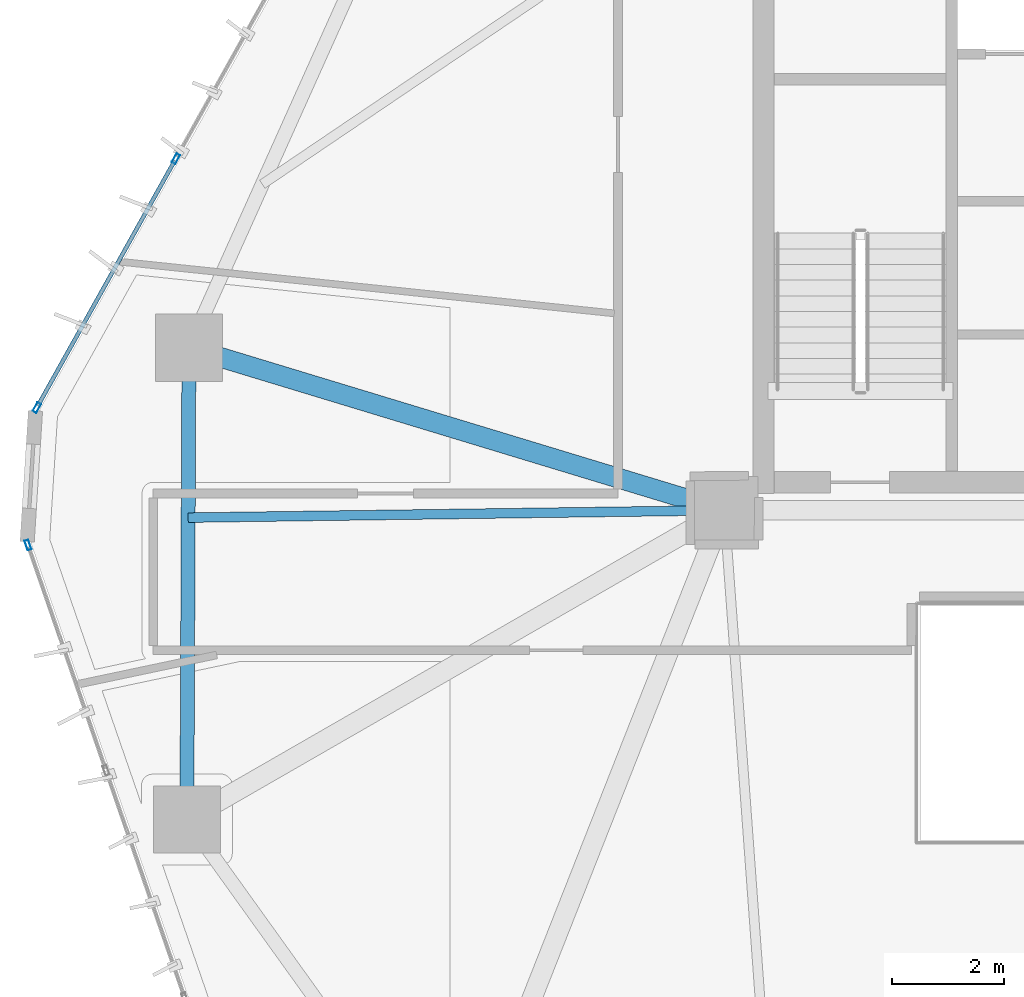
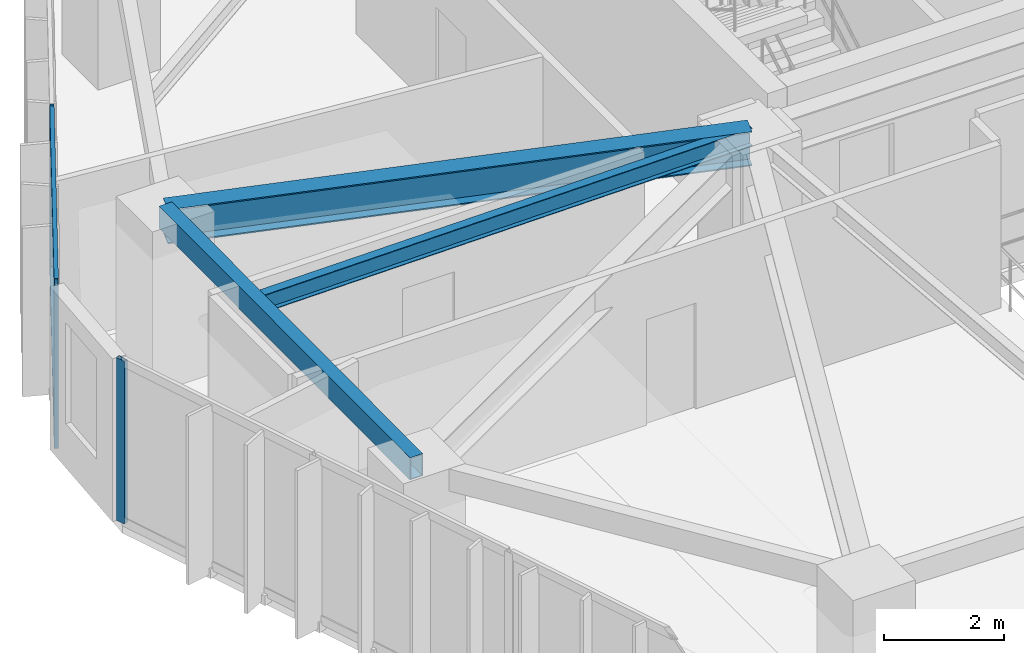
# One storey, part 7 of 21: 5 members, 3 beams, 2 elements without a shape of their own.
"""IFC4 building model written with IfcOpenShell, lengths in metres."""

from ifc_helpers import new_model, si_unit, direction, frame, origin, origin_2d, place, context, subcontext, project, spatial, hollow_rectangle, i_section, extrude, source, transform, mapped, material, layer, layer_set, material_profile, profile_set, type_object, type_shapes, element, aggregate, save


model = new_model("IFC4")

# Units and contexts
model_context = context("Model", 3, precision=1e-05, world=origin(), true_north=direction((0.0, 1.0)))
body_context = subcontext(model_context, "Body", "Model", "MODEL_VIEW")
ifc_project = project(units=[si_unit("LENGTHUNIT", "METRE"), si_unit("AREAUNIT", "SQUARE_METRE"), si_unit("VOLUMEUNIT", "CUBIC_METRE"), si_unit("PLANEANGLEUNIT", "RADIAN"), si_unit("MASSUNIT", "GRAM", prefix="KILO")], contexts=[model_context])

# Site, building, storey
site_placement = place(None, origin())
site = spatial("IfcSite", under=ifc_project, at=site_placement, CompositionType="ELEMENT")
building_placement = place(site_placement, origin())
building = spatial("IfcBuilding", under=site, at=building_placement, Name="Talar Marvaseh", CompositionType="ELEMENT")
storey_placement = place(building_placement, frame((0.0, 0.0, 139.800048828125)))
storey = spatial("IfcBuildingStorey", under=building, at=storey_placement, Name="L36", CompositionType="ELEMENT", Elevation=139.800048828125)

# Beams
ifc_material_1 = material(Name="Steel S355", Category="steel")
ifc_material_profile_1 = material_profile(ifc_material_1, hollow_rectangle(XDim=0.25, YDim=0.449951171875, WallThickness=0.01611328125, at=origin_2d()), Name="RHS450x250x16")
ifc_profile_set_1 = profile_set([ifc_material_profile_1], Name="Steel S355")
beam_type_1 = type_object("IfcBeamType", Name="Zone 2 Perimeter Spandrel Beam RHS450x250x16", PredefinedType="SPANDREL", material=ifc_profile_set_1)
beam_1_placement = place(storey_placement, frame((9.10107421875, 19.97705078125, 3.0849609375), z_axis=(0.004375628226, 0.999990426893, 0.0), x_axis=(-0.999990426893, 0.004375628226, 0.0)))
element("IfcBeam", 1, at=beam_1_placement, inside=storey, type_object=beam_type_1, Name="L36 Zone 2 Perimeter Spandrel Beam RHS450x250x16", PredefinedType="SPANDREL", context=body_context, shape_type="SweptSolid", body=[
    extrude(hollow_rectangle(XDim=0.25, YDim=0.449951171875, WallThickness=0.01611328125, at=origin_2d()), origin(), (0.0, 0.0, 1.0), 8.425048828125),
])
ifc_material_profile_2 = material_profile(ifc_material_1, i_section(OverallWidth=0.35498046875, OverallDepth=0.695068359375, WebThickness=0.015380859375, FlangeThickness=0.02490234375, at=origin_2d()), Name="W690x217")
ifc_profile_set_2 = profile_set([ifc_material_profile_2], Name="Steel S355")
beam_type_2 = type_object("IfcBeamType", Name="Zone 2 Radial Floor Girder W690x217", PredefinedType="BEAM", material=ifc_profile_set_2)
beam_2_placement = place(storey_placement, frame((9.137939453125, 28.402099609375, 2.96240234375), z_axis=(0.956898764921, -0.290421682546, 0.0), x_axis=(0.290421682546, 0.956898764921, 0.0)))
element("IfcBeam", 2, at=beam_2_placement, inside=storey, type_object=beam_type_2, Name="L36 Zone 2 Radial Floor Girder W690x217", PredefinedType="BEAM", context=body_context, shape_type="SweptSolid", body=[
    extrude(i_section(OverallWidth=0.35498046875, OverallDepth=0.695068359375, WebThickness=0.015380859375, FlangeThickness=0.02490234375, at=origin_2d()), origin(), (0.0, 0.0, 1.0), 9.99267578125),
])
ifc_material_profile_3 = material_profile(ifc_material_1, i_section(OverallWidth=0.172119140625, OverallDepth=0.35791015625, WebThickness=0.0078125, FlangeThickness=0.01318359375, at=origin_2d()), Name="W360x57")
ifc_profile_set_3 = profile_set([ifc_material_profile_3], Name="Steel S355")
beam_type_3 = type_object("IfcBeamType", Name="Zone 2 Secondary Floor Joist W360x57", PredefinedType="JOIST", material=ifc_profile_set_3)
beam_3_placement = place(storey_placement, frame((9.124755859375, 25.368896484375, 3.130859375), z_axis=(0.999906277829, 0.013690710637, 0.0), x_axis=(-0.013690710637, 0.999906277829, 0.0)))
element("IfcBeam", 3, at=beam_3_placement, inside=storey, type_object=beam_type_3, Name="L36 Zone 2 Secondary Floor Joist W360x57", PredefinedType="JOIST", context=body_context, shape_type="SweptSolid", body=[
    extrude(i_section(OverallWidth=0.172119140625, OverallDepth=0.35791015625, WebThickness=0.0078125, FlangeThickness=0.01318359375, at=origin_2d()), origin(), (0.0, 0.0, 1.0), 9.576171875),
])

# Curtain wall, member
ifc_material_2 = material(Name="Architectural Aluminium", Category="aluminium")
ifc_layer = layer(ifc_material_2, 0.199951171875)
ifc_layer_set = layer_set([ifc_layer], Name="Architectural Aluminium")
curtain_wall_type = type_object("IfcCurtainWallType", Name="Unitised Acoustic Library Curtain Wall Z2", PredefinedType="NOTDEFINED", material=ifc_layer_set)
curtain_wall_1_placement = place(storey_placement, origin())
curtain_wall_1 = element("IfcCurtainWall", 4, at=curtain_wall_1_placement, inside=storey, type_object=curtain_wall_type, Name="L36 Unitised Acoustic Library Curtain Wall Z2", PredefinedType="NOTDEFINED")
ifc_material_profile_4 = material_profile(ifc_material_2, hollow_rectangle(XDim=0.074951171875, YDim=0.179931640625, WallThickness=0.0048828125, at=origin_2d()), Name="RHS180x75x5")
ifc_profile_set_4 = profile_set([ifc_material_profile_4], Name="Architectural Aluminium")
member_type_1 = type_object("IfcMemberType", Name="Unitised Curtain Wall Standard Mullion RHS180x75x5", PredefinedType="MULLION", material=ifc_profile_set_4)
shared_shape_1 = source(origin(), body_context, "Body", "SweptSolid", [
    extrude(hollow_rectangle(XDim=0.074951171875, YDim=0.179931640625, WallThickness=0.0048828125, at=origin_2d()), origin(), (0.0, 0.0, 1.0), 3.31005859375),
])
type_shapes(member_type_1, [shared_shape_1])
member_1_placement = place(storey_placement, frame((6.263427734375, 24.88037109375, 0.0), z_axis=(0.0, 0.0, 1.0), x_axis=(-0.944968852239, -0.327160309784, 0.0)))
member_1 = element("IfcMember", 5, at=member_1_placement, type_object=member_type_1, Name="CW-Z2 mullion 5", PredefinedType="MULLION", context=body_context, shape_type="MappedRepresentation", body=[
    mapped(shared_shape_1, transform((0.0, 0.0, 0.0), x_axis=(1.0, 0.0, 0.0), y_axis=(0.0, 1.0, 0.0), z_axis=(0.0, 0.0, 1.0), scale=1.0)),
])
aggregate(curtain_wall_1, [member_1])

# Curtain wall, members
curtain_wall_2_placement = place(storey_placement, origin())
curtain_wall_2 = element("IfcCurtainWall", 6, at=curtain_wall_2_placement, inside=storey, type_object=curtain_wall_type, Name="L36 Unitised Acoustic Library Curtain Wall Z2", PredefinedType="NOTDEFINED")
member_2_placement = place(storey_placement, frame((6.421630859375, 27.333740234375, 0.0), z_axis=(0.0, 0.0, 1.0), x_axis=(-0.873076263983, 0.48758367207, 0.0)))
member_2 = element("IfcMember", 7, at=member_2_placement, type_object=member_type_1, Name="CW-Z2 mullion 1", PredefinedType="MULLION", context=body_context, shape_type="MappedRepresentation", body=[
    mapped(shared_shape_1, transform((0.0, 0.0, 0.0), x_axis=(1.0, 0.0, 0.0), y_axis=(0.0, 1.0, 0.0), z_axis=(0.0, 0.0, 1.0), scale=1.0)),
])
member_3_placement = place(storey_placement, frame((8.90478515625, 31.77978515625, 0.0), z_axis=(0.0, 0.0, 1.0), x_axis=(-0.873076263983, 0.48758367207, 0.0)))
member_3 = element("IfcMember", 8, at=member_3_placement, type_object=member_type_1, Name="CW-Z2 mullion 2", PredefinedType="MULLION", context=body_context, shape_type="MappedRepresentation", body=[
    mapped(shared_shape_1, transform((0.0, 0.0, 0.0), x_axis=(1.0, 0.0, 0.0), y_axis=(0.0, 1.0, 0.0), z_axis=(0.0, 0.0, 1.0), scale=1.0)),
])
ifc_material_profile_5 = material_profile(ifc_material_2, hollow_rectangle(XDim=0.074951171875, YDim=0.179931640625, WallThickness=0.0048828125, at=origin_2d()), Name="RHS180x75x5")
ifc_profile_set_5 = profile_set([ifc_material_profile_5], Name="Architectural Aluminium")
member_type_2 = type_object("IfcMemberType", Name="Unitised Curtain Wall Transom RHS180x75x5", PredefinedType="USERDEFINED", material=ifc_profile_set_5)
shared_shape_2 = source(origin(), body_context, "Body", "SweptSolid", [
    extrude(hollow_rectangle(XDim=0.074951171875, YDim=0.179931640625, WallThickness=0.0048828125, at=origin_2d()), origin(), (0.0, 0.0, 1.0), 5.017578125),
])
type_shapes(member_type_2, [shared_shape_2])
member_4_placement = place(storey_placement, frame((6.43994140625, 27.366455078125, 0.037353515625), z_axis=(0.487599960148, 0.873067167441, 0.0), x_axis=(-0.873067167441, 0.487599960148, 0.0)))
member_4 = element("IfcMember", 9, at=member_4_placement, type_object=member_type_2, Name="CW-Z2 transom 1.1", ObjectType="TRANSOM", PredefinedType="USERDEFINED", context=body_context, shape_type="MappedRepresentation", body=[
    mapped(shared_shape_2, transform((0.0, 0.0, 0.0), x_axis=(1.0, 0.0, 0.0), y_axis=(0.0, 1.0, 0.0), z_axis=(0.0, 0.0, 1.0), scale=1.0)),
])
member_5_placement = place(storey_placement, frame((6.43994140625, 27.366455078125, 3.2724609375), z_axis=(0.487599960148, 0.873067167441, 0.0), x_axis=(-0.873067167441, 0.487599960148, 0.0)))
member_5 = element("IfcMember", 10, at=member_5_placement, type_object=member_type_2, Name="CW-Z2 transom 1.2", ObjectType="TRANSOM", PredefinedType="USERDEFINED", context=body_context, shape_type="MappedRepresentation", body=[
    mapped(shared_shape_2, transform((0.0, 0.0, 0.0), x_axis=(1.0, 0.0, 0.0), y_axis=(0.0, 1.0, 0.0), z_axis=(0.0, 0.0, 1.0), scale=1.0)),
])
aggregate(curtain_wall_2, [member_2, member_3, member_4, member_5])

save(model, "model.ifc")
